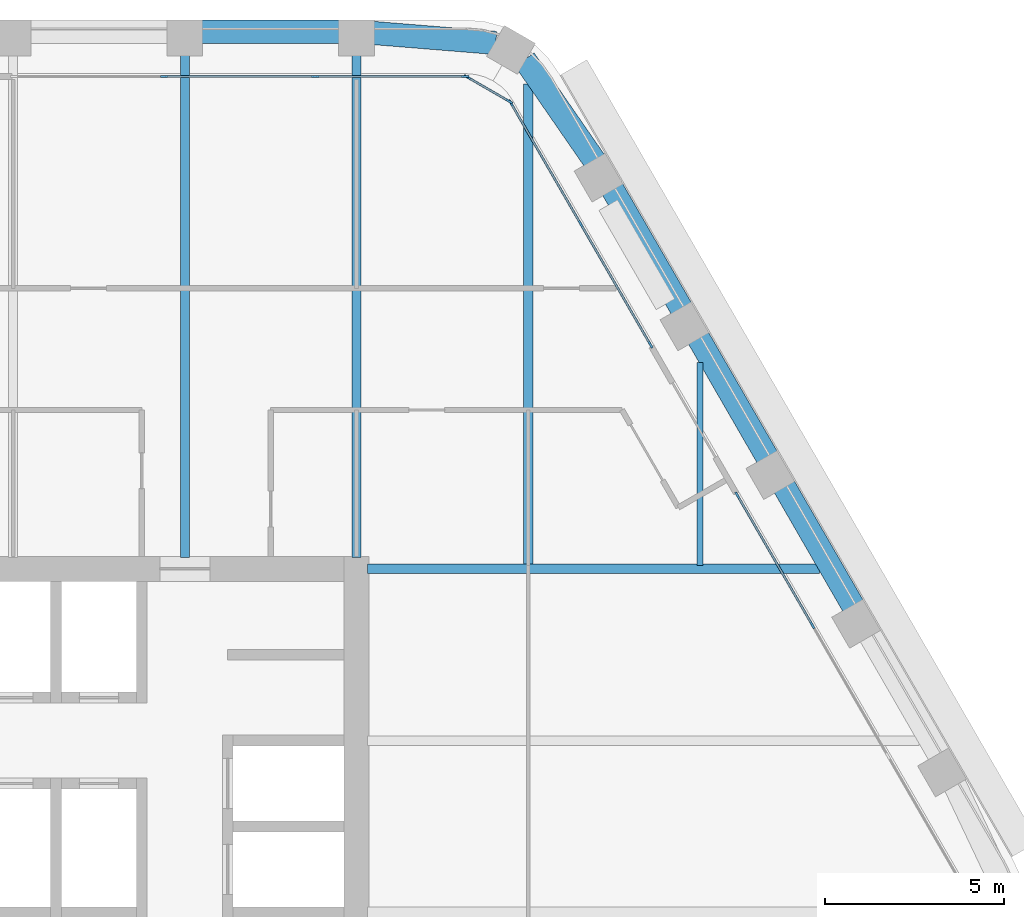
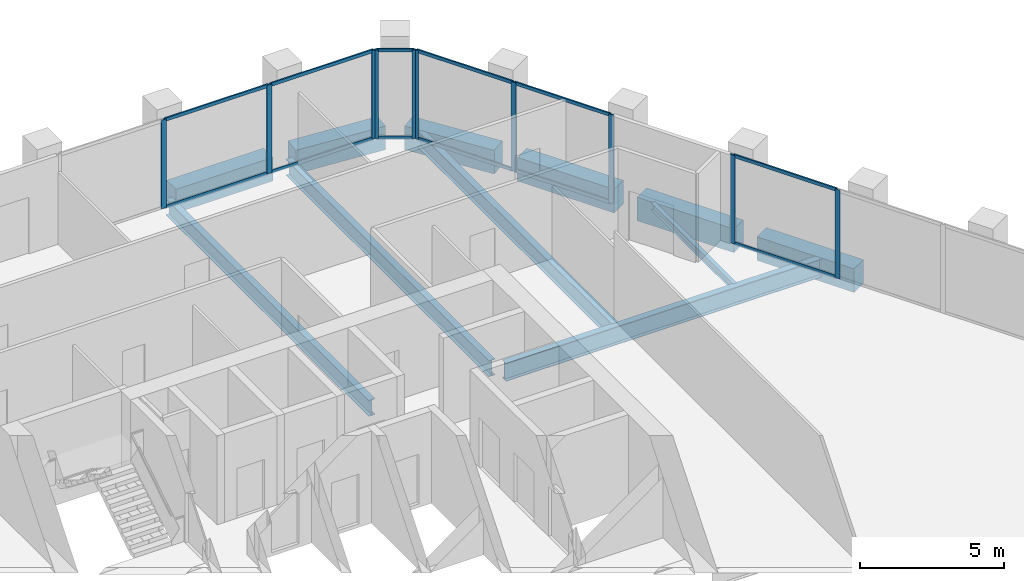
# One storey, part 6 of 15: 22 members, 11 beams, 4 elements without a shape of their own.
"""IFC4 building model written with IfcOpenShell, lengths in metres."""

from ifc_helpers import new_model, si_unit, direction, frame, origin, origin_2d, place, context, subcontext, project, spatial, rectangle, i_section, extrude, material, material_profile, profile_set, type_object, element, aggregate, save


model = new_model("IFC4")

# Units and contexts
model_context = context("Model", 3, precision=1e-05, world=origin(), true_north=direction((0.0, 1.0)))
body_context = subcontext(model_context, "Body", "Model", "MODEL_VIEW")
ifc_project = project(units=[si_unit("LENGTHUNIT", "METRE"), si_unit("AREAUNIT", "SQUARE_METRE"), si_unit("VOLUMEUNIT", "CUBIC_METRE"), si_unit("PLANEANGLEUNIT", "RADIAN"), si_unit("MASSUNIT", "GRAM", prefix="KILO")], contexts=[model_context])

# Site, building, storey
site_placement = place(None, origin())
site = spatial("IfcSite", under=ifc_project, at=site_placement, CompositionType="ELEMENT")
building_placement = place(site_placement, origin())
building = spatial("IfcBuilding", under=site, at=building_placement, Name="Kolab Exchange Tower", CompositionType="ELEMENT")
storey_placement = place(building_placement, frame((0.0, 0.0, 142.699951171875)))
storey = spatial("IfcBuildingStorey", under=building, at=storey_placement, Name="L28", CompositionType="ELEMENT", Elevation=142.699951171875)

# Beams
ifc_material_1 = material(Name="Steel S355", Category="steel")
ifc_material_profile_1 = material_profile(ifc_material_1, i_section(OverallWidth=0.1650390625, OverallDepth=0.31005859375, WebThickness=0.005859375, FlangeThickness=0.009765625, at=origin_2d()), Name="W310X39")
ifc_profile_set_1 = profile_set([ifc_material_profile_1], Name="Steel S355")
beam_type_1 = type_object("IfcBeamType", Name="FLOOR BEAM W310X39", PredefinedType="BEAM", material=ifc_profile_set_1)
beam_1_placement = place(storey_placement, frame((19.199951171875, 9.693603515625, -0.304931640625), z_axis=(0.0, 1.0, 0.0), x_axis=(-1.0, 0.0, 0.0)))
element("IfcBeam", 1, at=beam_1_placement, inside=storey, type_object=beam_type_1, Name="beam/L28/fr/023", PredefinedType="BEAM", context=body_context, shape_type="SweptSolid", body=[
    extrude(i_section(OverallWidth=0.1650390625, OverallDepth=0.31005859375, WebThickness=0.005859375, FlangeThickness=0.009765625, at=origin_2d()), origin(), (0.0, 0.0, 1.0), 5.674072265625),
])
ifc_material_profile_2 = material_profile(ifc_material_1, i_section(OverallWidth=0.25390625, OverallDepth=0.68408203125, WebThickness=0.012451171875, FlangeThickness=0.018798828125, at=origin_2d()), Name="W690X140")
ifc_profile_set_2 = profile_set([ifc_material_profile_2], Name="Steel S355")
beam_type_2 = type_object("IfcBeamType", Name="FLOOR BEAM W690X140", PredefinedType="BEAM", material=ifc_profile_set_2)
for number, where, z_axis, x_axis, name in (
    (2, (4.800048828125, 9.909912109375, -0.491943359375), (0.0, 1.0, 0.0), (-1.0, 0.0, 0.0), "beam/L28/fr/014"),
    (3, (9.60009765625, 9.909912109375, -0.491943359375), (0.0, 1.0, 0.0), (-1.0, 0.0, 0.0), "beam/L28/fr/016"),
):
    element("IfcBeam", number, at=place(storey_placement, frame(where, z_axis=z_axis, x_axis=x_axis)), inside=storey, type_object=beam_type_2, Name=name, PredefinedType="BEAM", context=body_context, shape_type="SweptSolid", body=[
        extrude(i_section(OverallWidth=0.25390625, OverallDepth=0.68408203125, WebThickness=0.012451171875, FlangeThickness=0.018798828125, at=origin_2d()), origin(), (0.0, 0.0, 1.0), 14.071533203125),
    ])
beam_2_placement = place(storey_placement, frame((14.39990234375, 9.693603515625, -0.491943359375), z_axis=(0.0, 1.0, 0.0), x_axis=(-1.0, 0.0, 0.0)))
element("IfcBeam", 4, at=beam_2_placement, inside=storey, type_object=beam_type_2, Name="beam/L28/fr/021", PredefinedType="BEAM", context=body_context, shape_type="SweptSolid", body=[
    extrude(i_section(OverallWidth=0.25390625, OverallDepth=0.68408203125, WebThickness=0.012451171875, FlangeThickness=0.018798828125, at=origin_2d()), origin(), (0.0, 0.0, 1.0), 13.462158203125),
])
ifc_material_profile_3 = material_profile(ifc_material_1, i_section(OverallWidth=0.26708984375, OverallDepth=0.761962890625, WebThickness=0.014404296875, FlangeThickness=0.021484375, at=origin_2d()), Name="W760X173")
ifc_profile_set_3 = profile_set([ifc_material_profile_3], Name="Steel S355")
beam_type_3 = type_object("IfcBeamType", Name="FLOOR GIRDER W760X173", PredefinedType="BEAM", material=ifc_profile_set_3)
beam_3_placement = place(storey_placement, frame((9.909912109375, 9.60009765625, -0.531005859375), z_axis=(1.0, 0.0, 0.0), x_axis=(0.0, 1.0, 0.0)))
element("IfcBeam", 5, at=beam_3_placement, inside=storey, type_object=beam_type_3, Name="beam/L28/gd/003", PredefinedType="BEAM", context=body_context, shape_type="SweptSolid", body=[
    extrude(i_section(OverallWidth=0.26708984375, OverallDepth=0.761962890625, WebThickness=0.014404296875, FlangeThickness=0.021484375, at=origin_2d()), origin(), (0.0, 0.0, 1.0), 12.636962890625),
])
ifc_material_2 = material(Name="Concrete C60/75", Category="concrete")
ifc_material_profile_4 = material_profile(ifc_material_2, rectangle(XDim=0.64990234375, YDim=1.0, at=origin_2d()), Name="RC650X1000")
ifc_profile_set_4 = profile_set([ifc_material_profile_4], Name="Concrete C60/75")
beam_type_4 = type_object("IfcBeamType", Name="SPANDREL BEAM 650X1000 C60/75", PredefinedType="BEAM", material=ifc_profile_set_4)
beam_4_placement = place(storey_placement, frame((5.260009765625, 24.616455078125, -0.64990234375), z_axis=(1.0, 0.0, 0.0), x_axis=(0.0, 1.0, 0.0)))
element("IfcBeam", 6, at=beam_4_placement, inside=storey, type_object=beam_type_4, Name="beam/L28/sp/F1-05", PredefinedType="BEAM", context=body_context, shape_type="SweptSolid", body=[
    extrude(rectangle(XDim=0.64990234375, YDim=1.0, at=origin_2d()), origin(), (0.0, 0.0, 1.0), 3.8798828125),
])
for number, where, z_axis, x_axis, name in (
    (7, (10.06005859375, 24.5791015625, -0.64990234375), (0.996708497182, -0.081068931445, 0.0), (0.081068931445, 0.996708497182, 0.0), "beam/L28/sp/F1-06"),
    (8, (14.29736328125, 23.8359375, -0.64990234375), (0.568572281073, -0.822633309073, 0.0), (0.822633309073, 0.568572281073, 0.0), "beam/L28/sp/F2-01"),
):
    element("IfcBeam", number, at=place(storey_placement, frame(where, z_axis=z_axis, x_axis=x_axis)), inside=storey, type_object=beam_type_4, Name=name, PredefinedType="BEAM", context=body_context, shape_type="SweptSolid", body=[
        extrude(rectangle(XDim=0.64990234375, YDim=1.0, at=origin_2d()), origin(), (0.0, 0.0, 1.0), 3.445068359375),
    ])
beam_5_placement = place(storey_placement, frame((16.74853515625, 20.2236328125, -0.64990234375), z_axis=(0.499996613652, -0.866027358884, 0.0), x_axis=(0.866027358884, 0.499996613652, 0.0)))
element("IfcBeam", 9, at=beam_5_placement, inside=storey, type_object=beam_type_4, Name="beam/L28/sp/F2-02", PredefinedType="BEAM", context=body_context, shape_type="SweptSolid", body=[
    extrude(rectangle(XDim=0.64990234375, YDim=1.0, at=origin_2d()), origin(), (0.0, 0.0, 1.0), 3.8798828125),
])
beam_6_placement = place(storey_placement, frame((19.1484375, 16.06689453125, -0.64990234375), z_axis=(0.50001655835, -0.866015843605, 0.0), x_axis=(0.866015843605, 0.50001655835, 0.0)))
element("IfcBeam", 10, at=beam_6_placement, inside=storey, type_object=beam_type_4, Name="beam/L28/sp/F2-03", PredefinedType="BEAM", context=body_context, shape_type="SweptSolid", body=[
    extrude(rectangle(XDim=0.64990234375, YDim=1.0, at=origin_2d()), origin(), (0.0, 0.0, 1.0), 3.880126953125),
])
beam_7_placement = place(storey_placement, frame((21.548583984375, 11.909912109375, -0.64990234375), z_axis=(0.499996613652, -0.866027358884, 0.0), x_axis=(0.866027358884, 0.499996613652, 0.0)))
element("IfcBeam", 11, at=beam_7_placement, inside=storey, type_object=beam_type_4, Name="beam/L28/sp/F2-04", PredefinedType="BEAM", context=body_context, shape_type="SweptSolid", body=[
    extrude(rectangle(XDim=0.64990234375, YDim=1.0, at=origin_2d()), origin(), (0.0, 0.0, 1.0), 3.8798828125),
])

# Curtain wall, members
ifc_material_3 = material(Name="Aluminium EN AW-6063 T6", Category="aluminium")
curtain_wall_type = type_object("IfcCurtainWallType", Name="UNITISED UPPER MID ZONE CURTAIN WALL", PredefinedType="NOTDEFINED", material=ifc_material_3)
curtain_wall_1_placement = place(storey_placement, origin())
curtain_wall_1 = element("IfcCurtainWall", 12, at=curtain_wall_1_placement, inside=storey, type_object=curtain_wall_type, Name="cw/L28/F1-2", PredefinedType="NOTDEFINED")
ifc_material_profile_5 = material_profile(ifc_material_3, rectangle(XDim=0.06005859375, YDim=0.199951171875, at=origin_2d()), Name="RECT 60X200")
ifc_profile_set_5 = profile_set([ifc_material_profile_5], Name="Aluminium EN AW-6063 T6")
member_type_1 = type_object("IfcMemberType", Name="UNITISED UPPER MID ZONE MULLION 60 X 200", PredefinedType="MULLION", material=ifc_profile_set_5)
member_1_placement = place(storey_placement, frame((4.22265625, 23.361572265625, 0.0), z_axis=(0.0, 0.0, 1.0), x_axis=(0.0, 1.0, 0.0)))
member_1 = element("IfcMember", 13, at=member_1_placement, type_object=member_type_1, Name="CW3 mullion 2", PredefinedType="MULLION", context=body_context, shape_type="SweptSolid", body=[
    extrude(rectangle(XDim=0.06005859375, YDim=0.199951171875, at=origin_2d()), origin(), (0.0, 0.0, 1.0), 3.75),
])
member_2_placement = place(storey_placement, frame((8.4453125, 23.361572265625, 0.0), z_axis=(0.0, 0.0, 1.0), x_axis=(0.0, 1.0, 0.0)))
member_2 = element("IfcMember", 14, at=member_2_placement, type_object=member_type_1, Name="CW3 mullion 3", PredefinedType="MULLION", context=body_context, shape_type="SweptSolid", body=[
    extrude(rectangle(XDim=0.06005859375, YDim=0.199951171875, at=origin_2d()), origin(), (0.0, 0.0, 1.0), 3.75),
])
member_3_placement = place(storey_placement, frame((12.637939453125, 23.361572265625, 0.0), z_axis=(0.0, 0.0, 1.0), x_axis=(0.0, 1.0, 0.0)))
member_3 = element("IfcMember", 15, at=member_3_placement, type_object=member_type_1, Name="CW3 mullion 4", PredefinedType="MULLION", context=body_context, shape_type="SweptSolid", body=[
    extrude(rectangle(XDim=0.06005859375, YDim=0.199951171875, at=origin_2d()), origin(), (0.0, 0.0, 1.0), 3.75),
])

curtain_wall_2_placement = place(storey_placement, origin())
curtain_wall_2 = element("IfcCurtainWall", 16, at=curtain_wall_2_placement, inside=storey, type_object=curtain_wall_type, Name="cw/L28/F2-1", PredefinedType="NOTDEFINED")
member_4_placement = place(storey_placement, frame((13.91259765625, 22.62548828125, 0.0), z_axis=(0.0, 0.0, 1.0), x_axis=(0.866025385493, 0.500000031681, 0.0)))
member_4 = element("IfcMember", 17, at=member_4_placement, type_object=member_type_1, Name="CW3 mullion 1", PredefinedType="MULLION", context=body_context, shape_type="SweptSolid", body=[
    extrude(rectangle(XDim=0.06005859375, YDim=0.199951171875, at=origin_2d()), origin(), (0.0, 0.0, 1.0), 3.75),
])
member_5_placement = place(storey_placement, frame((15.86474609375, 19.24462890625, 0.0), z_axis=(0.0, 0.0, 1.0), x_axis=(0.866025385493, 0.500000031681, 0.0)))
member_5 = element("IfcMember", 18, at=member_5_placement, type_object=member_type_1, Name="CW3 mullion 2", PredefinedType="MULLION", context=body_context, shape_type="SweptSolid", body=[
    extrude(rectangle(XDim=0.06005859375, YDim=0.199951171875, at=origin_2d()), origin(), (0.0, 0.0, 1.0), 3.75),
])
member_6_placement = place(storey_placement, frame((17.816650390625, 15.86376953125, 0.0), z_axis=(0.0, 0.0, 1.0), x_axis=(0.866025385493, 0.500000031681, 0.0)))
member_6 = element("IfcMember", 19, at=member_6_placement, type_object=member_type_1, Name="CW3 mullion 3", PredefinedType="MULLION", context=body_context, shape_type="SweptSolid", body=[
    extrude(rectangle(XDim=0.06005859375, YDim=0.199951171875, at=origin_2d()), origin(), (0.0, 0.0, 1.0), 3.75),
])

curtain_wall_3_placement = place(storey_placement, origin())
curtain_wall_3 = element("IfcCurtainWall", 20, at=curtain_wall_3_placement, inside=storey, type_object=curtain_wall_type, Name="cw/L28/F2-2", PredefinedType="NOTDEFINED")
member_7_placement = place(storey_placement, frame((20.24658203125, 11.65478515625, 0.0), z_axis=(0.0, 0.0, 1.0), x_axis=(0.866025427826, 0.499999958358, 0.0)))
member_7 = element("IfcMember", 21, at=member_7_placement, type_object=member_type_1, Name="CW3 mullion 1", PredefinedType="MULLION", context=body_context, shape_type="SweptSolid", body=[
    extrude(rectangle(XDim=0.06005859375, YDim=0.199951171875, at=origin_2d()), origin(), (0.0, 0.0, 1.0), 3.75),
])
member_8_placement = place(storey_placement, frame((22.343017578125, 8.02392578125, 0.0), z_axis=(0.0, 0.0, 1.0), x_axis=(0.866025427826, 0.499999958358, 0.0)))
member_8 = element("IfcMember", 22, at=member_8_placement, type_object=member_type_1, Name="CW3 mullion 2", PredefinedType="MULLION", context=body_context, shape_type="SweptSolid", body=[
    extrude(rectangle(XDim=0.06005859375, YDim=0.199951171875, at=origin_2d()), origin(), (0.0, 0.0, 1.0), 3.75),
])

curtain_wall_4_placement = place(storey_placement, origin())
curtain_wall_4 = element("IfcCurtainWall", 23, at=curtain_wall_4_placement, inside=storey, type_object=curtain_wall_type, Name="cw/L28/F1F2-corner", PredefinedType="NOTDEFINED")
member_9_placement = place(storey_placement, frame((12.69384765625, 23.346435546875, 0.0), z_axis=(0.0, 0.0, 1.0), x_axis=(0.50000002237, 0.866025390869, 0.0)))
member_9 = element("IfcMember", 24, at=member_9_placement, type_object=member_type_1, Name="CW3 mullion 1", PredefinedType="MULLION", context=body_context, shape_type="SweptSolid", body=[
    extrude(rectangle(XDim=0.06005859375, YDim=0.199951171875, at=origin_2d()), origin(), (0.0, 0.0, 1.0), 3.75),
])
member_10_placement = place(storey_placement, frame((13.871826171875, 22.66650390625, 0.0), z_axis=(0.0, 0.0, 1.0), x_axis=(0.50000002237, 0.866025390869, 0.0)))
member_10 = element("IfcMember", 25, at=member_10_placement, type_object=member_type_1, Name="CW3 mullion 2", PredefinedType="MULLION", context=body_context, shape_type="SweptSolid", body=[
    extrude(rectangle(XDim=0.06005859375, YDim=0.199951171875, at=origin_2d()), origin(), (0.0, 0.0, 1.0), 3.75),
])

# Member
ifc_material_profile_6 = material_profile(ifc_material_3, rectangle(XDim=0.06005859375, YDim=0.139892578125, at=origin_2d()), Name="RECT 60X140")
ifc_profile_set_6 = profile_set([ifc_material_profile_6], Name="Aluminium EN AW-6063 T6")
member_type_2 = type_object("IfcMemberType", Name="UNITISED UPPER MID ZONE TRANSOM 60 X 140", PredefinedType="USERDEFINED", material=ifc_profile_set_6)
member_11_placement = place(storey_placement, frame((4.252685546875, 23.361572265625, 0.030029296875), z_axis=(1.0, 0.0, 0.0), x_axis=(0.0, 1.0, 0.0)))
member_11 = element("IfcMember", 26, at=member_11_placement, type_object=member_type_2, Name="CW3 transom 2.1", ObjectType="TRANSOM", PredefinedType="USERDEFINED", context=body_context, shape_type="SweptSolid", body=[
    extrude(rectangle(XDim=0.06005859375, YDim=0.139892578125, at=origin_2d()), origin(), (0.0, 0.0, 1.0), 4.16259765625),
])

member_12_placement = place(storey_placement, frame((4.252685546875, 23.361572265625, 3.719970703125), z_axis=(1.0, 0.0, 0.0), x_axis=(0.0, 1.0, 0.0)))
member_12 = element("IfcMember", 27, at=member_12_placement, type_object=member_type_2, Name="CW3 transom 2.2", ObjectType="TRANSOM", PredefinedType="USERDEFINED", context=body_context, shape_type="SweptSolid", body=[
    extrude(rectangle(XDim=0.06005859375, YDim=0.139892578125, at=origin_2d()), origin(), (0.0, 0.0, 1.0), 4.16259765625),
])

member_13_placement = place(storey_placement, frame((8.475341796875, 23.361572265625, 0.030029296875), z_axis=(1.0, 0.0, 0.0), x_axis=(0.0, 1.0, 0.0)))
member_13 = element("IfcMember", 28, at=member_13_placement, type_object=member_type_2, Name="CW3 transom 3.1", ObjectType="TRANSOM", PredefinedType="USERDEFINED", context=body_context, shape_type="SweptSolid", body=[
    extrude(rectangle(XDim=0.06005859375, YDim=0.139892578125, at=origin_2d()), origin(), (0.0, 0.0, 1.0), 4.132568359375),
])

member_14_placement = place(storey_placement, frame((8.475341796875, 23.361572265625, 3.719970703125), z_axis=(1.0, 0.0, 0.0), x_axis=(0.0, 1.0, 0.0)))
member_14 = element("IfcMember", 29, at=member_14_placement, type_object=member_type_2, Name="CW3 transom 3.2", ObjectType="TRANSOM", PredefinedType="USERDEFINED", context=body_context, shape_type="SweptSolid", body=[
    extrude(rectangle(XDim=0.06005859375, YDim=0.139892578125, at=origin_2d()), origin(), (0.0, 0.0, 1.0), 4.132568359375),
])

aggregate(curtain_wall_1, [member_1, member_2, member_3, member_11, member_12, member_13, member_14])

member_15_placement = place(storey_placement, frame((13.927734375, 22.599609375, 0.030029296875), z_axis=(0.499964356602, -0.866045981532, 0.0), x_axis=(0.866045981532, 0.499964356602, 0.0)))
member_15 = element("IfcMember", 30, at=member_15_placement, type_object=member_type_2, Name="CW3 transom 1.1", ObjectType="TRANSOM", PredefinedType="USERDEFINED", context=body_context, shape_type="SweptSolid", body=[
    extrude(rectangle(XDim=0.06005859375, YDim=0.139892578125, at=origin_2d()), origin(), (0.0, 0.0, 1.0), 3.843994140625),
])

member_16_placement = place(storey_placement, frame((13.927734375, 22.599609375, 3.719970703125), z_axis=(0.499964356602, -0.866045981532, 0.0), x_axis=(0.866045981532, 0.499964356602, 0.0)))
member_16 = element("IfcMember", 31, at=member_16_placement, type_object=member_type_2, Name="CW3 transom 1.2", ObjectType="TRANSOM", PredefinedType="USERDEFINED", context=body_context, shape_type="SweptSolid", body=[
    extrude(rectangle(XDim=0.06005859375, YDim=0.139892578125, at=origin_2d()), origin(), (0.0, 0.0, 1.0), 3.843994140625),
])

member_17_placement = place(storey_placement, frame((15.879638671875, 19.21875, 0.030029296875), z_axis=(0.500011990396, -0.866018481016, 0.0), x_axis=(0.866018481016, 0.500011990396, 0.0)))
member_17 = element("IfcMember", 32, at=member_17_placement, type_object=member_type_2, Name="CW3 transom 2.1", ObjectType="TRANSOM", PredefinedType="USERDEFINED", context=body_context, shape_type="SweptSolid", body=[
    extrude(rectangle(XDim=0.06005859375, YDim=0.139892578125, at=origin_2d()), origin(), (0.0, 0.0, 1.0), 3.84423828125),
])

member_18_placement = place(storey_placement, frame((15.879638671875, 19.21875, 3.719970703125), z_axis=(0.500011990396, -0.866018481016, 0.0), x_axis=(0.866018481016, 0.500011990396, 0.0)))
member_18 = element("IfcMember", 33, at=member_18_placement, type_object=member_type_2, Name="CW3 transom 2.2", ObjectType="TRANSOM", PredefinedType="USERDEFINED", context=body_context, shape_type="SweptSolid", body=[
    extrude(rectangle(XDim=0.06005859375, YDim=0.139892578125, at=origin_2d()), origin(), (0.0, 0.0, 1.0), 3.84423828125),
])

aggregate(curtain_wall_2, [member_4, member_5, member_6, member_15, member_16, member_17, member_18])

member_19_placement = place(storey_placement, frame((20.26171875, 11.62890625, 0.030029296875), z_axis=(0.500001996123, -0.866024251319, 0.0), x_axis=(0.866024251319, 0.500001996123, 0.0)))
member_19 = element("IfcMember", 34, at=member_19_placement, type_object=member_type_2, Name="CW3 transom 1.1", ObjectType="TRANSOM", PredefinedType="USERDEFINED", context=body_context, shape_type="SweptSolid", body=[
    extrude(rectangle(XDim=0.06005859375, YDim=0.139892578125, at=origin_2d()), origin(), (0.0, 0.0, 1.0), 4.1328125),
])

member_20_placement = place(storey_placement, frame((20.26171875, 11.62890625, 3.719970703125), z_axis=(0.500001996123, -0.866024251319, 0.0), x_axis=(0.866024251319, 0.500001996123, 0.0)))
member_20 = element("IfcMember", 35, at=member_20_placement, type_object=member_type_2, Name="CW3 transom 1.2", ObjectType="TRANSOM", PredefinedType="USERDEFINED", context=body_context, shape_type="SweptSolid", body=[
    extrude(rectangle(XDim=0.06005859375, YDim=0.139892578125, at=origin_2d()), origin(), (0.0, 0.0, 1.0), 4.1328125),
])

aggregate(curtain_wall_3, [member_7, member_8, member_19, member_20])

member_21_placement = place(storey_placement, frame((12.719970703125, 23.33154296875, 0.030029296875), z_axis=(0.86603858612, -0.49997716683, 0.0), x_axis=(0.49997716683, 0.86603858612, 0.0)))
member_21 = element("IfcMember", 36, at=member_21_placement, type_object=member_type_2, Name="CW3 transom 1.1", ObjectType="TRANSOM", PredefinedType="USERDEFINED", context=body_context, shape_type="SweptSolid", body=[
    extrude(rectangle(XDim=0.06005859375, YDim=0.139892578125, at=origin_2d()), origin(), (0.0, 0.0, 1.0), 1.2998046875),
])

member_22_placement = place(storey_placement, frame((12.719970703125, 23.33154296875, 3.719970703125), z_axis=(0.86603858612, -0.49997716683, 0.0), x_axis=(0.49997716683, 0.86603858612, 0.0)))
member_22 = element("IfcMember", 37, at=member_22_placement, type_object=member_type_2, Name="CW3 transom 1.2", ObjectType="TRANSOM", PredefinedType="USERDEFINED", context=body_context, shape_type="SweptSolid", body=[
    extrude(rectangle(XDim=0.06005859375, YDim=0.139892578125, at=origin_2d()), origin(), (0.0, 0.0, 1.0), 1.2998046875),
])

aggregate(curtain_wall_4, [member_9, member_10, member_21, member_22])

save(model, "model.ifc")
